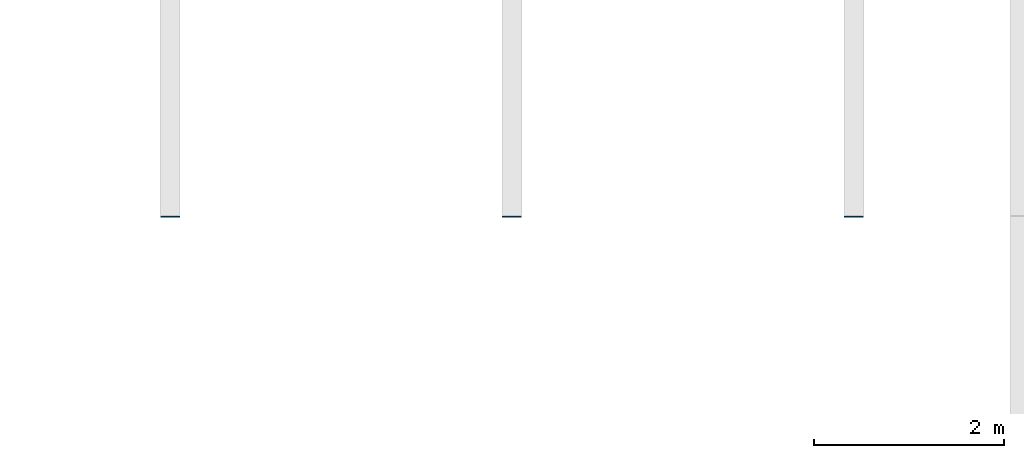
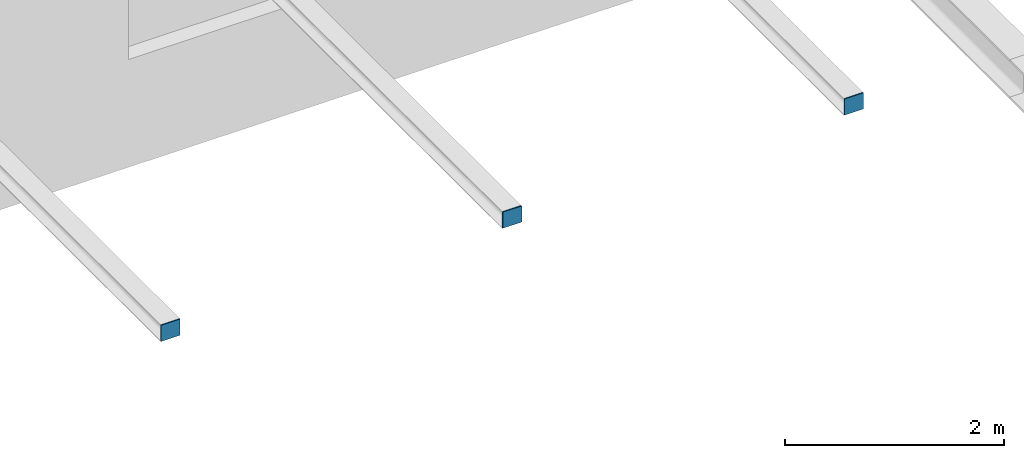
# One storey, part 64 of 110: 3 discrete accessories.
"""IFC4 building model written with IfcOpenShell, lengths in metres."""

from ifc_helpers import new_model, si_unit, direction, frame, origin, origin_2d, place, context, subcontext, project, spatial, rectangle, extrude, material, layer, layer_set, type_object, element, save


model = new_model("IFC4")

# Units and contexts
model_context = context("Model", 3, precision=1e-05, world=origin(), true_north=direction((0.0, 1.0)))
body_context = subcontext(model_context, "Body", "Model", "MODEL_VIEW")
ifc_project = project(units=[si_unit("LENGTHUNIT", "METRE"), si_unit("AREAUNIT", "SQUARE_METRE"), si_unit("VOLUMEUNIT", "CUBIC_METRE"), si_unit("PLANEANGLEUNIT", "RADIAN"), si_unit("MASSUNIT", "GRAM", prefix="KILO")], contexts=[model_context])

# Site, building, storey
site_placement = place(None, origin())
site = spatial("IfcSite", under=ifc_project, at=site_placement, CompositionType="ELEMENT")
building_placement = place(site_placement, origin())
building = spatial("IfcBuilding", under=site, at=building_placement, Name="Kupolbacken Congress Centre", CompositionType="ELEMENT")
storey_placement = place(building_placement, frame((0.0, 0.0, 18.0)))
storey = spatial("IfcBuildingStorey", under=building, at=storey_placement, Name="L05", CompositionType="ELEMENT", Elevation=18.0)

# Discrete accessories
ifc_material = material(Name="Steel S355", Category="steel")
ifc_layer = layer(ifc_material, 0.011962890625)
ifc_layer_set = layer_set([ifc_layer], Name="Steel S355")
discrete_accessory_type = type_object("IfcDiscreteAccessoryType", Name="BK3 bracket end plate 200 x 180 x 12", PredefinedType="BRACKET", material=ifc_layer_set)
for number, where, z_axis, x_axis, name in (
    (1, (156.60009765625, 107.993896484375, 3.60009765625), (0.0, 0.0, 1.0), (1.0, 0.0, 0.0), "Eave bracket end plate N20"),
    (2, (160.199951171875, 107.993896484375, 3.60009765625), (0.0, 0.0, 1.0), (1.0, 0.0, 0.0), "Eave bracket end plate N21"),
    (3, (163.800048828125, 107.993896484375, 3.60009765625), (0.0, 0.0, 1.0), (1.0, 0.0, 0.0), "Eave bracket end plate N22"),
):
    element("IfcDiscreteAccessory", number, at=place(storey_placement, frame(where, z_axis=z_axis, x_axis=x_axis)), inside=storey, type_object=discrete_accessory_type, Name=name, PredefinedType="BRACKET", context=body_context, shape_type="SweptSolid", body=[
        extrude(rectangle(XDim=0.199951171875, YDim=0.011962890625, at=origin_2d()), origin(), (0.0, 0.0, 1.0), 0.179931640625),
    ])

save(model, "model.ifc")
